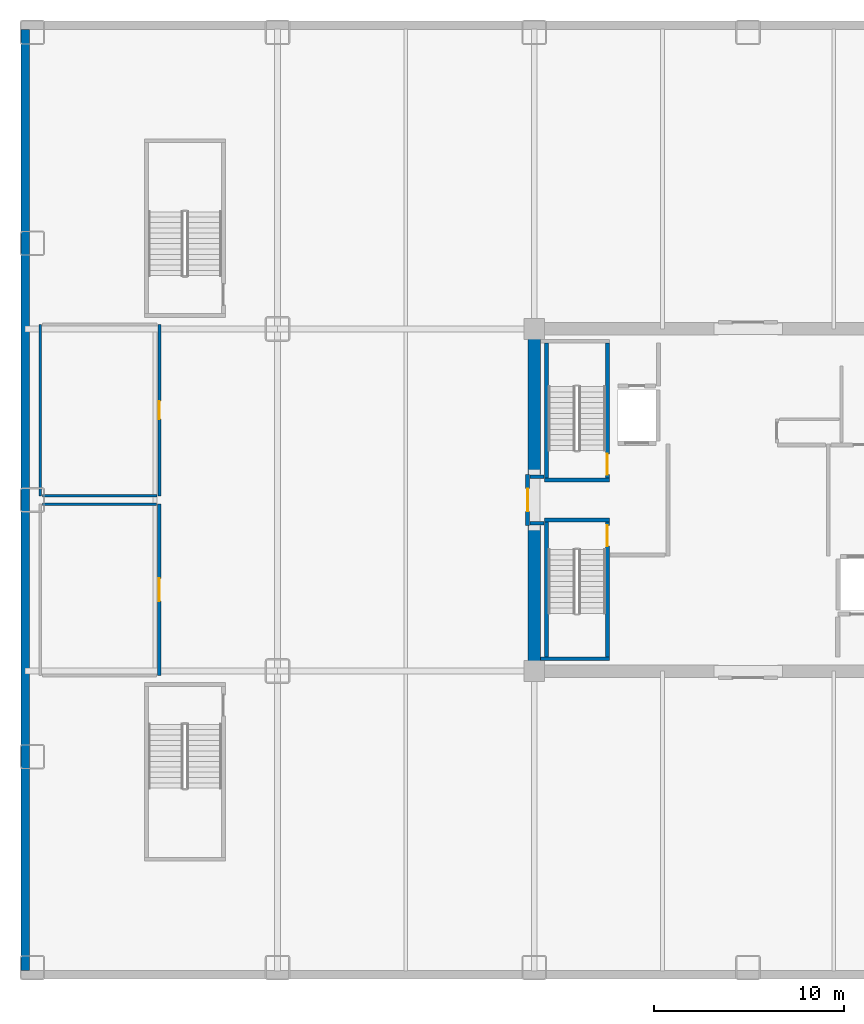
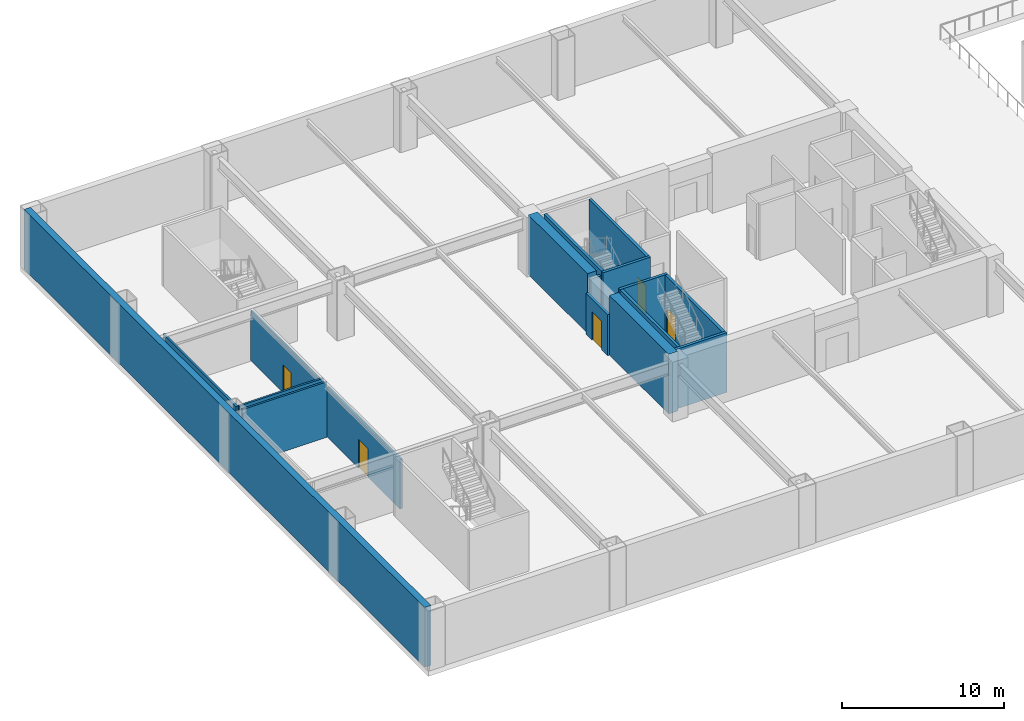
# One storey, part 2 of 9: 18 walls, 5 doors, 5 openings.
"""IFC4 building model written with IfcOpenShell, lengths in metres."""

from ifc_helpers import new_model, si_unit, direction, frame, frame_2d, origin, place, context, subcontext, project, spatial, rectangle, extrude, source, transform, mapped, material, layer, layer_set, type_object, element, fill, save


model = new_model("IFC4")

# Units and contexts
model_context = context("Model", 3, precision=1e-05, world=origin(), true_north=direction((0.0, 1.0)))
body_context = subcontext(model_context, "Body", "Model", "MODEL_VIEW")
ifc_project = project(units=[si_unit("LENGTHUNIT", "METRE"), si_unit("AREAUNIT", "SQUARE_METRE"), si_unit("VOLUMEUNIT", "CUBIC_METRE"), si_unit("PLANEANGLEUNIT", "RADIAN"), si_unit("MASSUNIT", "GRAM", prefix="KILO")], contexts=[model_context])

# Site, building, storey
site_placement = place(None, origin())
site = spatial("IfcSite", under=ifc_project, at=site_placement, CompositionType="ELEMENT")
building_placement = place(site_placement, origin())
building = spatial("IfcBuilding", under=site, at=building_placement, Name="Nefas-Gora Pilgrimage Tower", CompositionType="ELEMENT")
storey_placement = place(building_placement, frame((0.0, 0.0, -4.5)))
storey = spatial("IfcBuildingStorey", under=building, at=storey_placement, Name="B01", CompositionType="ELEMENT", Elevation=-4.5)

# Walls
ifc_material_1 = material(Name="Concrete C60/75", Category="concrete")
ifc_layer_1 = layer(ifc_material_1, 0.64990234375)
ifc_layer_set_1 = layer_set([ifc_layer_1], Name="Concrete C60/75")
wall_type_1 = type_object("IfcWallType", Name="SW-CORE-650", PredefinedType="SHEAR", material=ifc_layer_set_1)
shared_shape_1 = source(origin(), body_context, "Body", "SweptSolid", [
    extrude(rectangle(XDim=7.324951171875, YDim=0.64990234375, at=frame_2d((3.66259765625, 0.0))), origin(), (0.0, 0.0, 1.0), 4.5),
])
for number, where, z_axis, x_axis, name in (
    (1, (-11.25, -8.675048828125, 0.0), (0.0, 0.0, 1.0), (0.0, 1.0, 0.0), "B01 Core Shear Wall W-South"),
    (2, (-11.25, 1.35009765625, 0.0), (0.0, 0.0, 1.0), (0.0, 1.0, 0.0), "B01 Core Shear Wall W-North"),
):
    element("IfcWall", number, at=place(storey_placement, frame(where, z_axis=z_axis, x_axis=x_axis)), inside=storey, type_object=wall_type_1, Name=name, PredefinedType="SHEAR", context=body_context, shape_type="MappedRepresentation", body=[
        mapped(shared_shape_1, transform((0.0, 0.0, 0.0), x_axis=(1.0, 0.0, 0.0), y_axis=(0.0, 1.0, 0.0), z_axis=(0.0, 0.0, 1.0), scale=1.0)),
    ])
ifc_material_2 = material(Name="Concrete C50/60", Category="concrete")
ifc_layer_2 = layer(ifc_material_2, 0.449951171875)
ifc_layer_set_2 = layer_set([ifc_layer_2], Name="Concrete C50/60")
wall_type_2 = type_object("IfcWallType", Name="RW-BSMT-450", PredefinedType="SOLIDWALL", material=ifc_layer_set_2)
shared_shape_2 = source(origin(), body_context, "Body", "SweptSolid", [
    extrude(rectangle(XDim=49.5, YDim=0.449951171875, at=frame_2d((24.75, 0.0))), origin(), (0.0, 0.0, 1.0), 4.5),
])
wall_1_placement = place(storey_placement, frame((-38.02490234375, -24.75, 0.0), z_axis=(0.0, 0.0, 1.0), x_axis=(0.0, 1.0, 0.0)))
element("IfcWall", 3, at=wall_1_placement, inside=storey, type_object=wall_type_2, Name="B01 West Retaining Wall", PredefinedType="SOLIDWALL", context=body_context, shape_type="MappedRepresentation", body=[
    mapped(shared_shape_2, transform((0.0, 0.0, 0.0), x_axis=(1.0, 0.0, 0.0), y_axis=(0.0, 1.0, 0.0), z_axis=(0.0, 0.0, 1.0), scale=1.0)),
])
ifc_material_3 = material(Name="Concrete C45/55", Category="concrete")
ifc_layer_3 = layer(ifc_material_3, 0.199951171875)
ifc_layer_set_3 = layer_set([ifc_layer_3], Name="Concrete C45/55")
wall_type_3 = type_object("IfcWallType", Name="IW-STAIR-200", PredefinedType="SOLIDWALL", material=ifc_layer_set_3)
shared_shape_3 = source(origin(), body_context, "Body", "SweptSolid", [
    extrude(rectangle(XDim=3.39990234375, YDim=0.199951171875, at=frame_2d((1.699951171875, 0.0))), origin(), (0.0, 0.0, 1.0), 4.5),
])
for number, where, z_axis, x_axis, name in (
    (4, (-7.300048828125, 1.050048828125, 0.0), (0.0, 0.0, 1.0), (-1.0, 0.0, 0.0), "B01 Stairwell Shear Wall ST-01-near"),
    (5, (-10.699951171875, -1.050048828125, 0.0), (0.0, 0.0, 1.0), (1.0, 0.0, 0.0), "B01 Stairwell Shear Wall ST-03-near"),
):
    element("IfcWall", number, at=place(storey_placement, frame(where, z_axis=z_axis, x_axis=x_axis)), inside=storey, type_object=wall_type_3, Name=name, PredefinedType="SOLIDWALL", context=body_context, shape_type="MappedRepresentation", body=[
        mapped(shared_shape_3, transform((0.0, 0.0, 0.0), x_axis=(1.0, 0.0, 0.0), y_axis=(0.0, 1.0, 0.0), z_axis=(0.0, 0.0, 1.0), scale=1.0)),
    ])
shared_shape_4 = source(origin(), body_context, "Body", "SweptSolid", [
    extrude(rectangle(XDim=3.6298828125, YDim=0.199951171875, at=frame_2d((1.81494140625, 0.0))), origin(), (0.0, 0.0, 1.0), 4.5),
])
wall_2_placement = place(storey_placement, frame((-10.929931640625, -8.35009765625, 0.0), z_axis=(0.0, 0.0, 1.0), x_axis=(1.0, 0.0, 0.0)))
element("IfcWall", 6, at=wall_2_placement, inside=storey, type_object=wall_type_3, Name="B01 Stairwell Shear Wall ST-03-far", PredefinedType="SOLIDWALL", context=body_context, shape_type="MappedRepresentation", body=[
    mapped(shared_shape_4, transform((0.0, 0.0, 0.0), x_axis=(1.0, 0.0, 0.0), y_axis=(0.0, 1.0, 0.0), z_axis=(0.0, 0.0, 1.0), scale=1.0)),
])

# Wall, opening, door
shared_shape_5 = source(origin(), body_context, "Body", "SweptSolid", [
    extrude(rectangle(XDim=7.10009765625, YDim=0.199951171875, at=frame_2d((3.550048828125, 0.0))), origin(), (0.0, 0.0, 1.0), 4.5),
])
wall_3_placement = place(storey_placement, frame((-7.39990234375, 1.14990234375, 0.0), z_axis=(0.0, 0.0, 1.0), x_axis=(0.0, 1.0, 0.0)))
wall_3 = element("IfcWall", 7, at=wall_3_placement, inside=storey, type_object=wall_type_3, Name="B01 Stairwell Shear Wall ST-01-left", PredefinedType="SOLIDWALL", context=body_context, shape_type="MappedRepresentation", body=[
    mapped(shared_shape_5, transform((0.0, 0.0, 0.0), x_axis=(1.0, 0.0, 0.0), y_axis=(0.0, 1.0, 0.0), z_axis=(0.0, 0.0, 1.0), scale=1.0)),
])
opening_1_placement = place(wall_3_placement, frame((0.179931640625, 0.0, 0.0)))
opening_1 = element("IfcOpeningElement", 8, at=opening_1_placement, cuts=wall_3, Name="Opening ID-ST1", PredefinedType="OPENING", context=body_context, shape_type="SweptSolid", body=[
    extrude(rectangle(XDim=1.10009765625, YDim=2.14990234375, at=frame_2d((0.550048828125, 1.074951171875))), frame((0.0, 0.10986328125, 0.0), z_axis=(0.0, -1.0, 0.0), x_axis=(1.0, 0.0, 0.0)), (0.0, 0.0, 1.0), 0.219970703125),
])
ifc_material_4 = material(Name="Painted galvanised steel fire stair door", Category="steel")
door_type_1 = type_object("IfcDoorType", Name="DR-INT-STAIR-1100", OperationType="NOTDEFINED", PredefinedType="DOOR", material=ifc_material_4)
shared_shape_6 = source(origin(), body_context, "Body", "SweptSolid", [
    extrude(rectangle(XDim=1.10009765625, YDim=2.14990234375, at=frame_2d((0.550048828125, 1.074951171875))), frame((0.0, 0.02490234375, 0.0), z_axis=(0.0, -1.0, 0.0), x_axis=(1.0, 0.0, 0.0)), (0.0, 0.0, 1.0), 0.050048828125),
])
door_1_placement = place(opening_1_placement, origin())
door_1 = element("IfcDoor", 9, at=door_1_placement, inside=storey, type_object=door_type_1, Name="B01 Protected Exit Stair Door ST-01", OperationType="SINGLE_SWING_LEFT", OverallHeight=2.14990234375, OverallWidth=1.10009765625, PredefinedType="DOOR", context=body_context, shape_type="MappedRepresentation", body=[
    mapped(shared_shape_6, transform((0.0, 0.0, 0.0), x_axis=(1.0, 0.0, 0.0), y_axis=(0.0, 1.0, 0.0), z_axis=(0.0, 0.0, 1.0), scale=1.0)),
])
fill(opening_1, door_1)

# Walls
for number, where, z_axis, x_axis, name in (
    (10, (-10.60009765625, 1.14990234375, 0.0), (0.0, 0.0, 1.0), (0.0, 1.0, 0.0), "B01 Stairwell Shear Wall ST-01-right"),
    (11, (-10.60009765625, -1.14990234375, 0.0), (0.0, 0.0, 1.0), (0.0, -1.0, 0.0), "B01 Stairwell Shear Wall ST-03-left"),
):
    element("IfcWall", number, at=place(storey_placement, frame(where, z_axis=z_axis, x_axis=x_axis)), inside=storey, type_object=wall_type_3, Name=name, PredefinedType="SOLIDWALL", context=body_context, shape_type="MappedRepresentation", body=[
        mapped(shared_shape_5, transform((0.0, 0.0, 0.0), x_axis=(1.0, 0.0, 0.0), y_axis=(0.0, 1.0, 0.0), z_axis=(0.0, 0.0, 1.0), scale=1.0)),
    ])

# Wall, opening, door
wall_4_placement = place(storey_placement, frame((-7.39990234375, -1.14990234375, 0.0), z_axis=(0.0, 0.0, 1.0), x_axis=(0.0, -1.0, 0.0)))
wall_4 = element("IfcWall", 12, at=wall_4_placement, inside=storey, type_object=wall_type_3, Name="B01 Stairwell Shear Wall ST-03-right", PredefinedType="SOLIDWALL", context=body_context, shape_type="MappedRepresentation", body=[
    mapped(shared_shape_5, transform((0.0, 0.0, 0.0), x_axis=(1.0, 0.0, 0.0), y_axis=(0.0, 1.0, 0.0), z_axis=(0.0, 0.0, 1.0), scale=1.0)),
])
opening_2_placement = place(wall_4_placement, frame((0.179931640625, 0.0, 0.0)))
opening_2 = element("IfcOpeningElement", 13, at=opening_2_placement, cuts=wall_4, Name="Opening ID-ST1", PredefinedType="OPENING", context=body_context, shape_type="SweptSolid", body=[
    extrude(rectangle(XDim=1.10009765625, YDim=2.14990234375, at=frame_2d((0.550048828125, 1.074951171875))), frame((0.0, 0.10986328125, 0.0), z_axis=(0.0, -1.0, 0.0), x_axis=(1.0, 0.0, 0.0)), (0.0, 0.0, 1.0), 0.219970703125),
])
door_2_placement = place(opening_2_placement, origin())
door_2 = element("IfcDoor", 14, at=door_2_placement, inside=storey, type_object=door_type_1, Name="B01 Protected Exit Stair Door ST-03", OperationType="SINGLE_SWING_LEFT", OverallHeight=2.14990234375, OverallWidth=1.10009765625, PredefinedType="DOOR", context=body_context, shape_type="MappedRepresentation", body=[
    mapped(shared_shape_6, transform((0.0, 0.0, 0.0), x_axis=(1.0, 0.0, 0.0), y_axis=(0.0, 1.0, 0.0), z_axis=(0.0, 0.0, 1.0), scale=1.0)),
])
fill(opening_2, door_2)

ifc_material_5 = material(Name="Gypsum fire-rated shaftwall")
ifc_layer_4 = layer(ifc_material_5, 0.199951171875)
ifc_layer_set_4 = layer_set([ifc_layer_4], Name="Gypsum fire-rated shaftwall")
wall_type_4 = type_object("IfcWallType", Name="IW-FFLOB-200", PredefinedType="PARTITIONING", material=ifc_layer_set_4)
shared_shape_7 = source(origin(), body_context, "Body", "SweptSolid", [
    extrude(rectangle(XDim=2.7001953125, YDim=0.199951171875, at=frame_2d((1.35009765625, 0.0))), origin(), (0.0, 0.0, 1.0), 3.074951171875),
])
wall_5_placement = place(storey_placement, frame((-11.60009765625, -1.35009765625, 0.0), z_axis=(0.0, 0.0, 1.0), x_axis=(0.0, 1.0, 0.0)))
wall_5 = element("IfcWall", 15, at=wall_5_placement, inside=storey, type_object=wall_type_4, Name="B01 FF Lobby West Portal Wall 5", PredefinedType="PARTITIONING", context=body_context, shape_type="MappedRepresentation", body=[
    mapped(shared_shape_7, transform((0.0, 0.0, 0.0), x_axis=(1.0, 0.0, 0.0), y_axis=(0.0, 1.0, 0.0), z_axis=(0.0, 0.0, 1.0), scale=1.0)),
])
opening_3_placement = place(wall_5_placement, frame((0.75, 0.0, 0.0)))
opening_3 = element("IfcOpeningElement", 16, at=opening_3_placement, cuts=wall_5, Name="Opening ID-FF1", PredefinedType="OPENING", context=body_context, shape_type="SweptSolid", body=[
    extrude(rectangle(XDim=1.199951171875, YDim=2.14990234375, at=frame_2d((0.60009765625, 1.074951171875))), frame((0.0, 0.10986328125, 0.0), z_axis=(0.0, -1.0, 0.0), x_axis=(1.0, 0.0, 0.0)), (0.0, 0.0, 1.0), 0.219970703125),
])
ifc_material_6 = material(Name="Smoke-sealed steel firefighting lobby door", Category="steel")
door_type_2 = type_object("IfcDoorType", Name="DR-INT-FFLOB-1200", OperationType="NOTDEFINED", PredefinedType="DOOR", material=ifc_material_6)
shared_shape_8 = source(origin(), body_context, "Body", "SweptSolid", [
    extrude(rectangle(XDim=1.199951171875, YDim=2.14990234375, at=frame_2d((0.60009765625, 1.074951171875))), frame((0.0, 0.02490234375, 0.0), z_axis=(0.0, -1.0, 0.0), x_axis=(1.0, 0.0, 0.0)), (0.0, 0.0, 1.0), 0.050048828125),
])
door_3_placement = place(opening_3_placement, origin())
door_3 = element("IfcDoor", 17, at=door_3_placement, inside=storey, type_object=door_type_2, Name="B01 FF Lobby West Portal Door 3", OperationType="SINGLE_SWING_RIGHT", OverallHeight=2.14990234375, OverallWidth=1.199951171875, PredefinedType="DOOR", context=body_context, shape_type="MappedRepresentation", body=[
    mapped(shared_shape_8, transform((0.0, 0.0, 0.0), x_axis=(1.0, 0.0, 0.0), y_axis=(0.0, 1.0, 0.0), z_axis=(0.0, 0.0, 1.0), scale=1.0)),
])
fill(opening_3, door_3)

# Walls
shared_shape_9 = source(origin(), body_context, "Body", "SweptSolid", [
    extrude(rectangle(XDim=0.719970703125, YDim=0.199951171875, at=frame_2d((0.35986328125, 0.0))), origin(), (0.0, 0.0, 1.0), 4.18505859375),
])
for number, where, z_axis, x_axis, name in (
    (18, (-11.4599609375, 1.219970703125, 0.0), (0.0, 0.0, 1.0), (1.0, 0.0, 0.0), "B01 FF Lobby West Throat N Wall 8"),
    (19, (-11.4599609375, -1.219970703125, 0.0), (0.0, 0.0, 1.0), (1.0, 0.0, 0.0), "B01 FF Lobby West Throat S Wall 9"),
):
    element("IfcWall", number, at=place(storey_placement, frame(where, z_axis=z_axis, x_axis=x_axis)), inside=storey, type_object=wall_type_4, Name=name, PredefinedType="PARTITIONING", context=body_context, shape_type="MappedRepresentation", body=[
        mapped(shared_shape_9, transform((0.0, 0.0, 0.0), x_axis=(1.0, 0.0, 0.0), y_axis=(0.0, 1.0, 0.0), z_axis=(0.0, 0.0, 1.0), scale=1.0)),
    ])

# Wall, opening, door
ifc_material_7 = material(Name="Concrete C40/50", Category="concrete")
ifc_layer_5 = layer(ifc_material_7, 0.199951171875)
ifc_layer_set_5 = layer_set([ifc_layer_5], Name="Concrete C40/50")
wall_type_5 = type_object("IfcWallType", Name="IW-PLANT-200", PredefinedType="SOLIDWALL", material=ifc_layer_set_5)
shared_shape_10 = source(origin(), body_context, "Body", "SweptSolid", [
    extrude(rectangle(XDim=9.030029296875, YDim=0.199951171875, at=frame_2d((4.51513671875, 0.0))), origin(), (0.0, 0.0, 1.0), 3.72509765625),
])
wall_6_placement = place(storey_placement, frame((-30.969970703125, -9.239990234375, 0.0), z_axis=(0.0, 0.0, 1.0), x_axis=(0.0, 1.0, 0.0)))
wall_6 = element("IfcWall", 20, at=wall_6_placement, inside=storey, type_object=wall_type_5, Name="B01 Basement Ventilation Fan Room Partition Wall 21", PredefinedType="SOLIDWALL", context=body_context, shape_type="MappedRepresentation", body=[
    mapped(shared_shape_10, transform((0.0, 0.0, 0.0), x_axis=(1.0, 0.0, 0.0), y_axis=(0.0, 1.0, 0.0), z_axis=(0.0, 0.0, 1.0), scale=1.0)),
])
opening_4_placement = place(wall_6_placement, frame((3.9150390625, 0.0, 0.0)))
opening_4 = element("IfcOpeningElement", 21, at=opening_4_placement, cuts=wall_6, Name="Opening ID-PL1", PredefinedType="OPENING", context=body_context, shape_type="SweptSolid", body=[
    extrude(rectangle(XDim=1.199951171875, YDim=2.14990234375, at=frame_2d((0.60009765625, 1.074951171875))), frame((0.0, 0.10986328125, 0.0), z_axis=(0.0, -1.0, 0.0), x_axis=(1.0, 0.0, 0.0)), (0.0, 0.0, 1.0), 0.219970703125),
])
ifc_material_8 = material(Name="Heavy-duty steel plant room fire door", Category="steel")
door_type_3 = type_object("IfcDoorType", Name="DR-INT-PLANT-1200", OperationType="NOTDEFINED", PredefinedType="DOOR", material=ifc_material_8)
door_4_placement = place(opening_4_placement, origin())
door_4 = element("IfcDoor", 22, at=door_4_placement, inside=storey, type_object=door_type_3, Name="B01 Basement Ventilation Fan Room Door 9", OperationType="SINGLE_SWING_RIGHT", OverallHeight=2.14990234375, OverallWidth=1.199951171875, PredefinedType="DOOR", context=body_context, shape_type="MappedRepresentation", body=[
    mapped(shared_shape_8, transform((0.0, 0.0, 0.0), x_axis=(1.0, 0.0, 0.0), y_axis=(0.0, 1.0, 0.0), z_axis=(0.0, 0.0, 1.0), scale=1.0)),
])
fill(opening_4, door_4)

# Walls
ifc_material_9 = material(Name="Gypsum twin-stud partition")
ifc_layer_6 = layer(ifc_material_9, 0.139892578125)
ifc_layer_set_6 = layer_set([ifc_layer_6], Name="Gypsum twin-stud partition")
wall_type_6 = type_object("IfcWallType", Name="IW-UNIT-140", PredefinedType="PARTITIONING", material=ifc_layer_set_6)
shared_shape_11 = source(origin(), body_context, "Body", "SweptSolid", [
    extrude(rectangle(XDim=9.030029296875, YDim=0.139892578125, at=frame_2d((4.51513671875, 0.0))), origin(), (0.0, 0.0, 1.0), 4.18505859375),
])
wall_7_placement = place(storey_placement, frame((-37.22998046875, 0.2099609375, 0.0), z_axis=(0.0, 0.0, 1.0), x_axis=(0.0, 1.0, 0.0)))
element("IfcWall", 23, at=wall_7_placement, inside=storey, type_object=wall_type_6, Name="B01 Bicycle and Pilgrim Gear Store Partition Wall 26", PredefinedType="PARTITIONING", context=body_context, shape_type="MappedRepresentation", body=[
    mapped(shared_shape_11, transform((0.0, 0.0, 0.0), x_axis=(1.0, 0.0, 0.0), y_axis=(0.0, 1.0, 0.0), z_axis=(0.0, 0.0, 1.0), scale=1.0)),
])
shared_shape_12 = source(origin(), body_context, "Body", "SweptSolid", [
    extrude(rectangle(XDim=6.010009765625, YDim=0.139892578125, at=frame_2d((3.0048828125, 0.0))), origin(), (0.0, 0.0, 1.0), 4.18505859375),
])
wall_8_placement = place(storey_placement, frame((-37.1201171875, -0.219970703125, 0.0), z_axis=(0.0, 0.0, 1.0), x_axis=(1.0, 0.0, 0.0)))
element("IfcWall", 24, at=wall_8_placement, inside=storey, type_object=wall_type_6, Name="B01 Basement Ventilation Fan Room Partition Wall 24", PredefinedType="PARTITIONING", context=body_context, shape_type="MappedRepresentation", body=[
    mapped(shared_shape_12, transform((0.0, 0.0, 0.0), x_axis=(1.0, 0.0, 0.0), y_axis=(0.0, 1.0, 0.0), z_axis=(0.0, 0.0, 1.0), scale=1.0)),
])

# Wall, opening, door
ifc_material_10 = material(Name="Gypsum acoustic stud partition")
ifc_layer_7 = layer(ifc_material_10, 0.159912109375)
ifc_layer_set_7 = layer_set([ifc_layer_7], Name="Gypsum acoustic stud partition")
wall_type_7 = type_object("IfcWallType", Name="IW-CORR-160", PredefinedType="PARTITIONING", material=ifc_layer_set_7)
shared_shape_13 = source(origin(), body_context, "Body", "SweptSolid", [
    extrude(rectangle(XDim=9.030029296875, YDim=0.159912109375, at=frame_2d((4.51513671875, 0.0))), origin(), (0.0, 0.0, 1.0), 3.72509765625),
])
wall_9_placement = place(storey_placement, frame((-30.969970703125, 0.2099609375, 0.0), z_axis=(0.0, 0.0, 1.0), x_axis=(0.0, 1.0, 0.0)))
wall_9 = element("IfcWall", 25, at=wall_9_placement, inside=storey, type_object=wall_type_7, Name="B01 Bicycle and Pilgrim Gear Store Partition Wall 25", PredefinedType="PARTITIONING", context=body_context, shape_type="MappedRepresentation", body=[
    mapped(shared_shape_13, transform((0.0, 0.0, 0.0), x_axis=(1.0, 0.0, 0.0), y_axis=(0.0, 1.0, 0.0), z_axis=(0.0, 0.0, 1.0), scale=1.0)),
])
opening_5_placement = place(wall_9_placement, frame((4.0400390625, 0.0, 0.0)))
opening_5 = element("IfcOpeningElement", 26, at=opening_5_placement, cuts=wall_9, Name="Opening ID-GR1", PredefinedType="OPENING", context=body_context, shape_type="SweptSolid", body=[
    extrude(rectangle(XDim=0.949951171875, YDim=2.10009765625, at=frame_2d((0.47509765625, 1.050048828125))), frame((0.0, 0.08984375, 0.0), z_axis=(0.0, -1.0, 0.0), x_axis=(1.0, 0.0, 0.0)), (0.0, 0.0, 1.0), 0.179931640625),
])
ifc_material_11 = material(Name="Solid core oak fire-rated guest entrance door")
door_type_4 = type_object("IfcDoorType", Name="DR-INT-GUEST-950", OperationType="NOTDEFINED", PredefinedType="DOOR", material=ifc_material_11)
shared_shape_14 = source(origin(), body_context, "Body", "SweptSolid", [
    extrude(rectangle(XDim=0.949951171875, YDim=2.10009765625, at=frame_2d((0.47509765625, 1.050048828125))), frame((0.0, 0.02490234375, 0.0), z_axis=(0.0, -1.0, 0.0), x_axis=(1.0, 0.0, 0.0)), (0.0, 0.0, 1.0), 0.050048828125),
])
door_5_placement = place(opening_5_placement, origin())
door_5 = element("IfcDoor", 27, at=door_5_placement, inside=storey, type_object=door_type_4, Name="B01 Bicycle and Pilgrim Gear Store Door 10", OperationType="SINGLE_SWING_LEFT", OverallHeight=2.10009765625, OverallWidth=0.949951171875, PredefinedType="DOOR", context=body_context, shape_type="MappedRepresentation", body=[
    mapped(shared_shape_14, transform((0.0, 0.0, 0.0), x_axis=(1.0, 0.0, 0.0), y_axis=(0.0, 1.0, 0.0), z_axis=(0.0, 0.0, 1.0), scale=1.0)),
])
fill(opening_5, door_5)

# Wall
shared_shape_15 = source(origin(), body_context, "Body", "SweptSolid", [
    extrude(rectangle(XDim=6.030029296875, YDim=0.139892578125, at=frame_2d((3.01513671875, 0.0))), origin(), (0.0, 0.0, 1.0), 4.18505859375),
])
wall_10_placement = place(storey_placement, frame((-37.1201171875, 0.219970703125, 0.0), z_axis=(0.0, 0.0, 1.0), x_axis=(1.0, 0.0, 0.0)))
element("IfcWall", 28, at=wall_10_placement, inside=storey, type_object=wall_type_6, Name="B01 Bicycle and Pilgrim Gear Store Partition Wall 27", PredefinedType="PARTITIONING", context=body_context, shape_type="MappedRepresentation", body=[
    mapped(shared_shape_15, transform((0.0, 0.0, 0.0), x_axis=(1.0, 0.0, 0.0), y_axis=(0.0, 1.0, 0.0), z_axis=(0.0, 0.0, 1.0), scale=1.0)),
])

save(model, "model.ifc")
